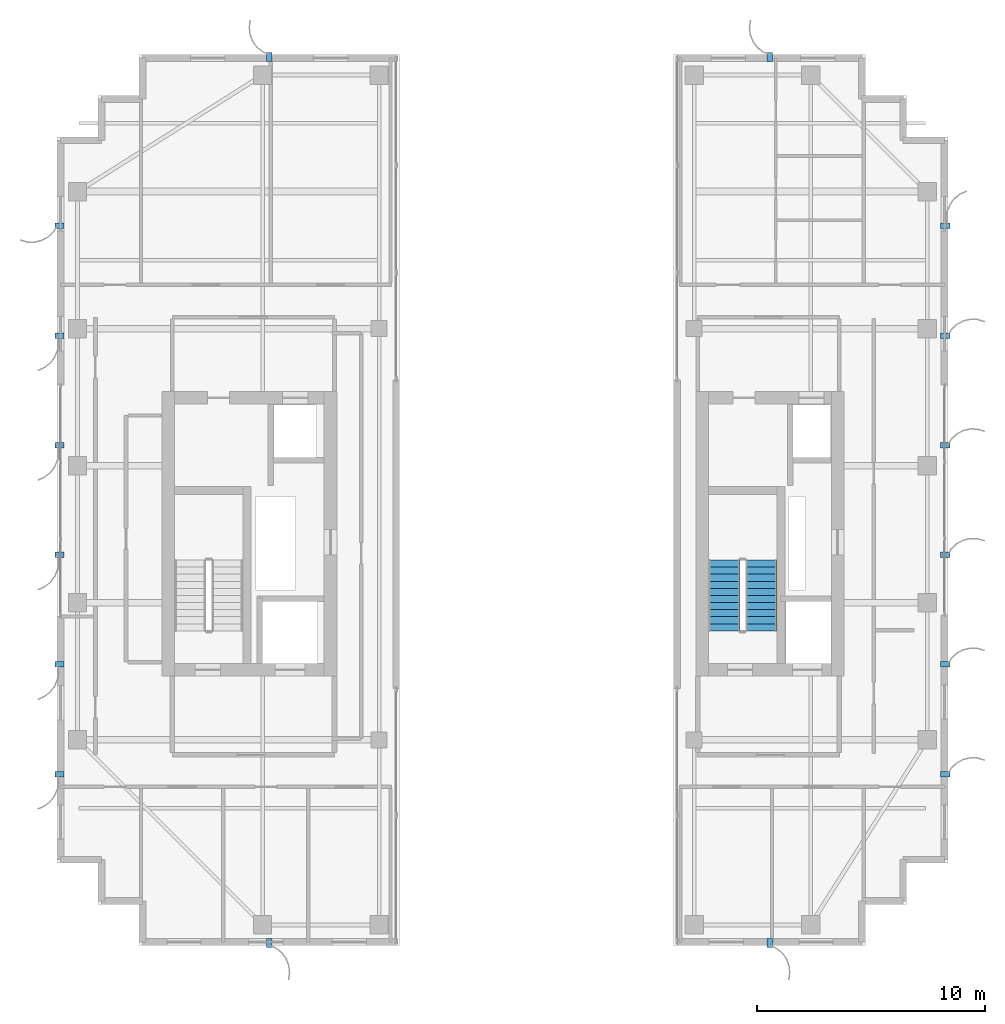
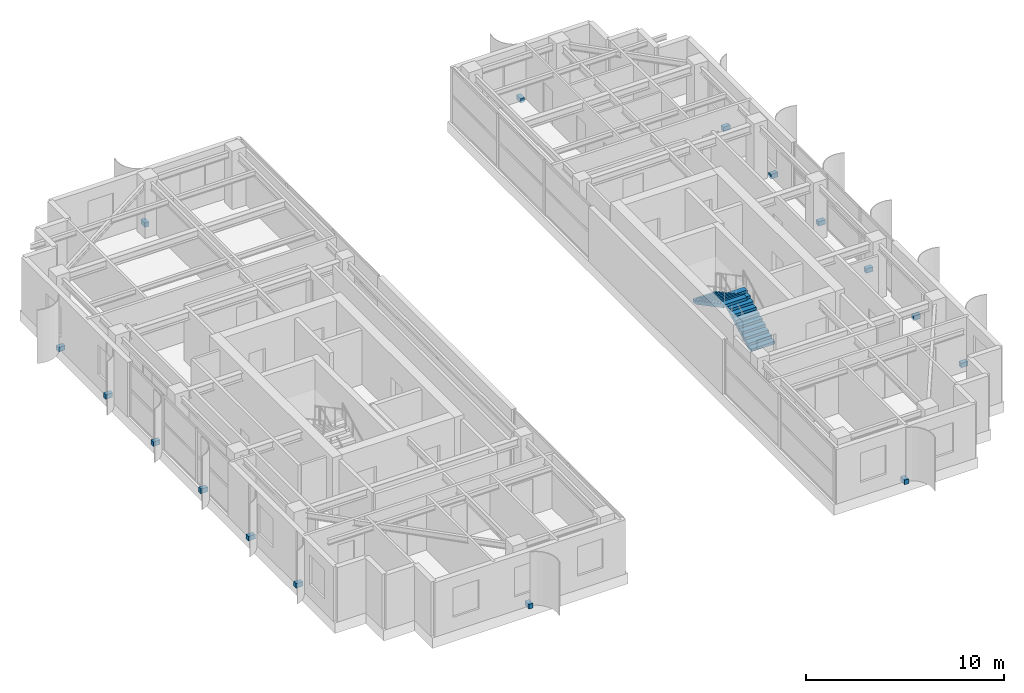
# One storey, part 21 of 24: 16 discrete accessories, 2 stair flights, 1 element without a shape of its own.
"""IFC4 building model written with IfcOpenShell, lengths in metres."""

from ifc_helpers import new_model, si_unit, direction, frame, origin, origin_2d, place, context, subcontext, project, spatial, polyline, rectangle, outline, extrude, source, transform, mapped, material, type_object, element, aggregate, save


model = new_model("IFC4")

# Units and contexts
model_context = context("Model", 3, precision=1e-05, world=origin(), true_north=direction((0.0, 1.0)))
body_context = subcontext(model_context, "Body", "Model", "MODEL_VIEW")
ifc_project = project(units=[si_unit("LENGTHUNIT", "METRE"), si_unit("AREAUNIT", "SQUARE_METRE"), si_unit("VOLUMEUNIT", "CUBIC_METRE"), si_unit("PLANEANGLEUNIT", "RADIAN"), si_unit("MASSUNIT", "GRAM", prefix="KILO")], contexts=[model_context])

# Site, building, storey
site_placement = place(None, origin())
site = spatial("IfcSite", under=ifc_project, at=site_placement, CompositionType="ELEMENT")
building_placement = place(site_placement, origin())
building = spatial("IfcBuilding", under=site, at=building_placement, Name="Khoralis Quay Care Tower", CompositionType="ELEMENT")
storey_placement = place(building_placement, frame((0.0, 0.0, 227.699951171875)))
storey = spatial("IfcBuildingStorey", under=building, at=storey_placement, Name="L59", CompositionType="ELEMENT", Elevation=227.699951171875)

# Stair, stair flights
ifc_material_1 = material(Name="Precast concrete C45/55", Category="concrete")
stair_type = type_object("IfcStairType", Name="ST-TWR-DOGLEG-1400", PredefinedType="HALF_TURN_STAIR", material=ifc_material_1)
stair_placement = place(storey_placement, origin())
stair = element("IfcStair", 1, at=stair_placement, inside=storey, type_object=stair_type, Name="L59 East Core Exit Stair ST-T2", PredefinedType="HALF_TURN_STAIR")
stair_flight_type = type_object("IfcStairFlightType", Name="SF-TWR-1400", PredefinedType="STRAIGHT", material=ifc_material_1)
shared_shape_1 = source(origin(), body_context, "Body", "SweptSolid", [
    extrude(outline(polyline([(0.0, 0.0), (0.0, 0.16357421875), (0.31005859375, 0.16357421875), (0.31005859375, 0.327392578125), (0.6201171875, 0.327392578125), (0.6201171875, 0.490966796875), (0.929931640625, 0.490966796875), (0.929931640625, 0.654541015625), (1.239990234375, 0.654541015625), (1.239990234375, 0.818115234375), (1.550048828125, 0.818115234375), (1.550048828125, 0.98193359375), (1.860107421875, 0.98193359375), (1.860107421875, 1.1455078125), (2.169921875, 1.1455078125), (2.169921875, 1.30908203125), (2.47998046875, 1.30908203125), (2.47998046875, 1.47265625), (2.7900390625, 1.47265625), (2.7900390625, 1.636474609375), (3.10009765625, 1.636474609375), (3.10009765625, 1.800048828125), (3.10009765625, 1.466796875), (0.321044921875, 0.0), (0.0, 0.0)])), frame((0.0, 0.68994140625, 0.0), z_axis=(0.0, -1.0, 0.0), x_axis=(1.0, 0.0, 0.0)), (0.0, 0.0, 1.0), 1.3798828125),
])
stair_flight_1_placement = place(storey_placement, frame((33.830078125, 16.77001953125, 0.0), z_axis=(0.0, 0.0, 1.0), x_axis=(0.0, 1.0, 0.0)))
stair_flight_1 = element("IfcStairFlight", 2, at=stair_flight_1_placement, type_object=stair_flight_type, Name="ST-T2 flight 1", NumberOfRisers=11, NumberOfTreads=10, PredefinedType="STRAIGHT", RiserHeight=0.163636364, TreadLength=0.31, context=body_context, shape_type="MappedRepresentation", body=[
    mapped(shared_shape_1, transform((0.0, 0.0, 0.0), scale=1.0)),
])
stair_flight_2_placement = place(storey_placement, frame((32.2099609375, 19.8701171875, 1.800048828125), z_axis=(0.0, 0.0, 1.0), x_axis=(0.0, -1.0, 0.0)))
stair_flight_2 = element("IfcStairFlight", 3, at=stair_flight_2_placement, type_object=stair_flight_type, Name="ST-T2 flight 2", NumberOfRisers=11, NumberOfTreads=10, PredefinedType="STRAIGHT", RiserHeight=0.163636364, TreadLength=0.31, context=body_context, shape_type="MappedRepresentation", body=[
    mapped(shared_shape_1, transform((0.0, 0.0, 0.0), scale=1.0)),
])
aggregate(stair, [stair_flight_1, stair_flight_2])

# Discrete accessories
ifc_material_2 = material(Name="Brushed stainless steel", Category="steel")
discrete_accessory_type = type_object("IfcDiscreteAccessoryType", Name="ACC-FIN-BRACKET", PredefinedType="BRACKET", material=ifc_material_2)
shared_shape_2 = source(origin(), body_context, "Body", "SweptSolid", [
    extrude(rectangle(XDim=0.39990234375, YDim=0.239990234375, at=origin_2d()), origin(), (0.0, 0.0, 1.0), 0.280029296875),
])
for number, where, z_axis, x_axis, name in (
    (4, (12.300048828125, 3.110107421875, -0.1201171875), (0.0, 0.0, 1.0), (0.0, -1.0, 0.0), "L59 Solar Fin Bracket P1E0-01"),
    (5, (12.300048828125, 41.889892578125, -0.1201171875), (0.0, 0.0, 1.0), (0.0, 1.0, 0.0), "L59 Solar Fin Bracket P1E2-01"),
    (6, (3.110107421875, 34.5, -0.1201171875), (0.0, 0.0, 1.0), (-1.0, 0.0, 0.0), "L59 Solar Fin Bracket P1E7-01"),
    (7, (3.110107421875, 29.699951171875, -0.1201171875), (0.0, 0.0, 1.0), (-1.0, 0.0, 0.0), "L59 Solar Fin Bracket P1E7-02"),
    (8, (3.110107421875, 24.89990234375, -0.1201171875), (0.0, 0.0, 1.0), (-1.0, 0.0, 0.0), "L59 Solar Fin Bracket P1E7-03"),
    (9, (3.110107421875, 20.10009765625, -0.1201171875), (0.0, 0.0, 1.0), (-1.0, 0.0, 0.0), "L59 Solar Fin Bracket P1E7-04"),
    (10, (3.110107421875, 15.300048828125, -0.1201171875), (0.0, 0.0, 1.0), (-1.0, 0.0, 0.0), "L59 Solar Fin Bracket P1E7-05"),
    (11, (3.110107421875, 10.5, -0.1201171875), (0.0, 0.0, 1.0), (-1.0, 0.0, 0.0), "L59 Solar Fin Bracket P1E7-06"),
    (12, (34.199951171875, 3.110107421875, -0.1201171875), (0.0, 0.0, 1.0), (0.0, -1.0, 0.0), "L59 Solar Fin Bracket P2E0-01"),
    (13, (41.889892578125, 10.5, -0.1201171875), (0.0, 0.0, 1.0), (1.0, 0.0, 0.0), "L59 Solar Fin Bracket P2E5-01"),
    (14, (41.889892578125, 15.300048828125, -0.1201171875), (0.0, 0.0, 1.0), (1.0, 0.0, 0.0), "L59 Solar Fin Bracket P2E5-02"),
    (15, (41.889892578125, 20.10009765625, -0.1201171875), (0.0, 0.0, 1.0), (1.0, 0.0, 0.0), "L59 Solar Fin Bracket P2E5-03"),
    (16, (41.889892578125, 24.89990234375, -0.1201171875), (0.0, 0.0, 1.0), (1.0, 0.0, 0.0), "L59 Solar Fin Bracket P2E5-04"),
    (17, (41.889892578125, 29.699951171875, -0.1201171875), (0.0, 0.0, 1.0), (1.0, 0.0, 0.0), "L59 Solar Fin Bracket P2E5-05"),
    (18, (41.889892578125, 34.5, -0.1201171875), (0.0, 0.0, 1.0), (1.0, 0.0, 0.0), "L59 Solar Fin Bracket P2E5-06"),
    (19, (34.199951171875, 41.889892578125, -0.1201171875), (0.0, 0.0, 1.0), (0.0, 1.0, 0.0), "L59 Solar Fin Bracket P2E10-01"),
):
    element("IfcDiscreteAccessory", number, at=place(storey_placement, frame(where, z_axis=z_axis, x_axis=x_axis)), inside=storey, type_object=discrete_accessory_type, Name=name, PredefinedType="BRACKET", context=body_context, shape_type="MappedRepresentation", body=[
        mapped(shared_shape_2, transform((0.0, 0.0, 0.0), scale=1.0)),
    ])

save(model, "model.ifc")
